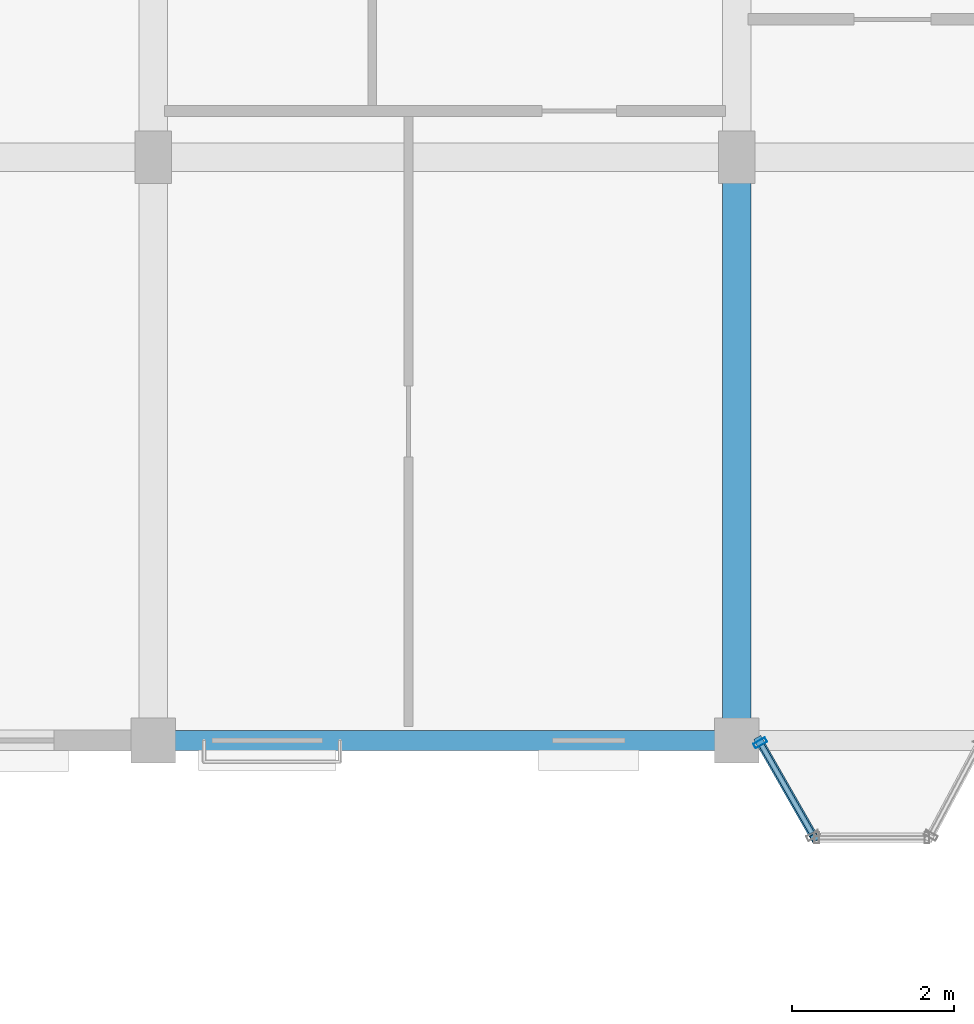
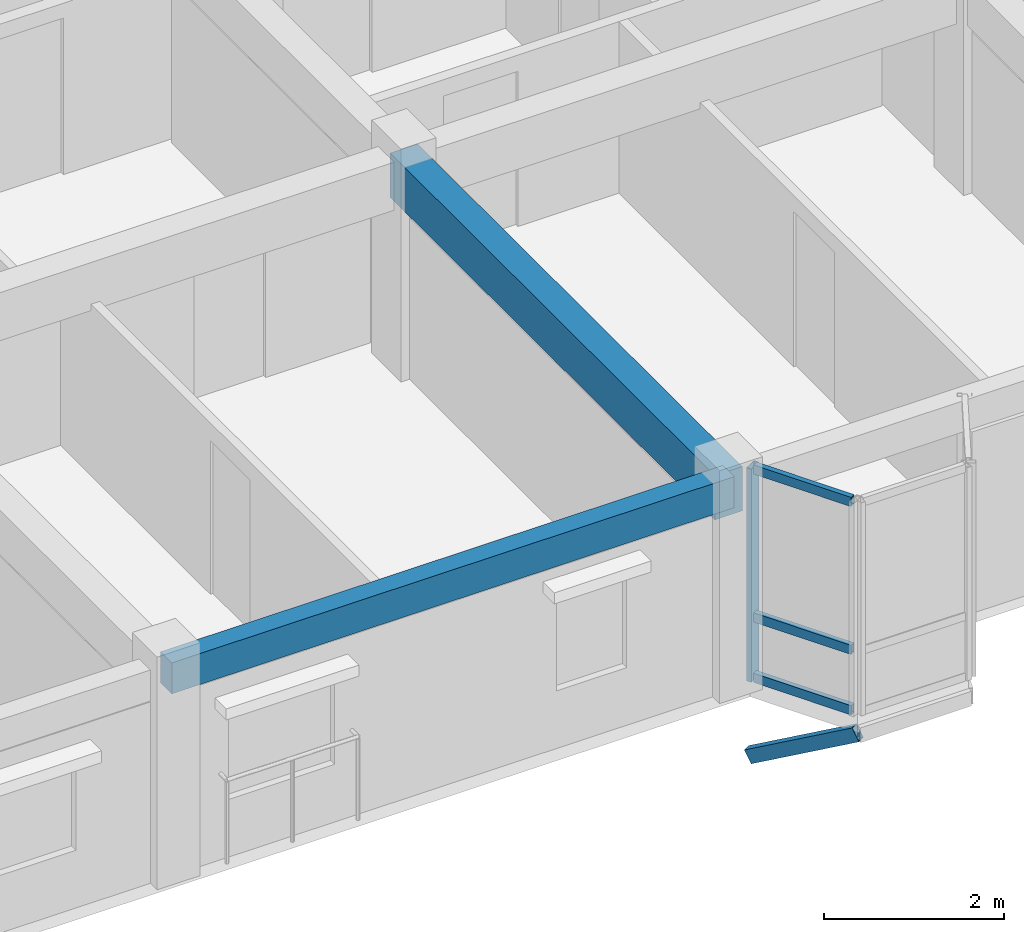
# One storey, part 35 of 79: 5 members, 2 beams, 1 element without a shape of its own.
"""IFC4 building model written with IfcOpenShell, lengths in metres."""

import ifcopenshell
import ifcopenshell.guid

model = None  # the IFC model being written
_history = None  # IfcOwnerHistory: only IFC2X3 demands one
_inside = {}  # id of a spatial element -> (the spatial element, [elements in it])
_under = {}  # id of a project, library or spatial element -> (it, [spatial elements below it])
_declared = {}  # id of a project -> (the project, [libraries it declares])
_typed = {}  # id of a type object -> (the type object, [elements of that type])
_made_of = {}  # id of a material, layer set ... -> (it, [elements and type objects made of it])


def new_model(schema):
    """Start an empty IFC model of exactly this schema.

    Asked for "IFC4X3", IfcOpenShell would pick the latest addendum, in which some entities
    have other attributes; the version numbers below select the first issue.
    IFC2X3 requires an IfcOwnerHistory on every rooted entity: one is made here for all.
    """
    global model, _history
    if schema == "IFC4X3":
        model = ifcopenshell.file(schema_version=(4, 3, 0, 0))
    else:
        model = ifcopenshell.file(schema=schema)
    _inside.clear()
    _under.clear()
    _declared.clear()
    _typed.clear()
    _made_of.clear()
    _history = None
    if model.schema == "IFC2X3":
        org = make("IfcOrganization", Name="unknown")
        user = make(
            "IfcPersonAndOrganization",
            ThePerson=make("IfcPerson", FamilyName="unknown"),
            TheOrganization=org,
        )
        app = make(
            "IfcApplication",
            ApplicationDeveloper=org,
            Version="unknown",
            ApplicationFullName="unknown",
            ApplicationIdentifier="unknown",
        )
        _history = make(
            "IfcOwnerHistory",
            OwningUser=user,
            OwningApplication=app,
            ChangeAction="ADDED",
            CreationDate=0,
        )
    return model


def make(cls, **values):
    """One entity of the class cls with the attributes given. An attribute that is None is left unset."""
    return model.create_entity(
        cls, **{name: value for name, value in values.items() if value is not None}
    )


def rooted(cls, **values):
    """An entity with a GlobalId (a new one), such as an element, a storey or a relation."""
    return make(cls, GlobalId=ifcopenshell.guid.new(), OwnerHistory=_history, **values)


def si_unit(unit_type, name, prefix=None):
    """IfcSIUnit, for example si_unit("LENGTHUNIT", "METRE", prefix="MILLI")."""
    return make("IfcSIUnit", UnitType=unit_type, Prefix=prefix, Name=name)


def assignment(units):
    """IfcUnitAssignment: the units of a project."""
    return None if units is None else make("IfcUnitAssignment", Units=units)


def point(xyz):
    """IfcCartesianPoint."""
    return None if xyz is None else make("IfcCartesianPoint", Coordinates=xyz)


def direction(xyz):
    """IfcDirection."""
    return None if xyz is None else make("IfcDirection", DirectionRatios=xyz)


def frame(location, z_axis=None, x_axis=None):
    """IfcAxis2Placement3D, a coordinate frame: its origin and axes. An axis left out is left unset."""
    return make(
        "IfcAxis2Placement3D",
        Location=point(location),
        Axis=direction(z_axis),
        RefDirection=direction(x_axis),
    )


def frame_2d(location, x_axis=None):
    """IfcAxis2Placement2D, a coordinate frame in the plane: its origin and x axis."""
    return make(
        "IfcAxis2Placement2D", Location=point(location), RefDirection=direction(x_axis)
    )


def origin():
    """The frame at (0, 0, 0) with its axes left unset."""
    return frame((0.0, 0.0, 0.0))


def origin_2d():
    """The frame at (0, 0) in the plane with its x axis left unset."""
    return frame_2d((0.0, 0.0))


def place(relative_to, where):
    """IfcLocalPlacement: puts the frame where relative to a parent placement (None: the world)."""
    return make(
        "IfcLocalPlacement", PlacementRelTo=relative_to, RelativePlacement=where
    )


def context(
    kind, dimensions, precision=None, world=None, true_north=None, identifier=None
):
    """IfcGeometricRepresentationContext, for example the 3D "Model" context."""
    return make(
        "IfcGeometricRepresentationContext",
        ContextIdentifier=identifier,
        ContextType=kind,
        CoordinateSpaceDimension=dimensions,
        Precision=precision,
        WorldCoordinateSystem=world,
        TrueNorth=true_north,
    )


def subcontext(parent, identifier, kind, view, scale=None):
    """IfcGeometricRepresentationSubContext, for example "Body" below "Model"."""
    return make(
        "IfcGeometricRepresentationSubContext",
        ContextIdentifier=identifier,
        ContextType=kind,
        ParentContext=parent,
        TargetScale=scale,
        TargetView=view,
    )


def project(units=None, contexts=None):
    """IfcProject with its units and contexts."""
    return rooted(
        "IfcProject",
        Name="project",
        RepresentationContexts=contexts,
        UnitsInContext=assignment(units),
    )


def spatial(cls, under=None, at=None, **own):
    """A site, building, storey or space (cls), placed at a placement, below another one or the project."""
    s = rooted(cls, ObjectPlacement=at, **own)
    if under is not None:
        _under.setdefault(under.id(), (under, []))[1].append(s)
    return s


def profile(cls, at=None, kind="AREA", **sizes):
    """A parametric profile (cls). Its sizes go by their IFC names, for example OverallWidth=200.0."""
    return make(cls, ProfileType=kind, Position=at, **sizes)


def rectangle(**sizes):
    """IfcRectangleProfileDef."""
    return profile("IfcRectangleProfileDef", **sizes)


def hollow_rectangle(**sizes):
    """IfcRectangleHollowProfileDef."""
    return profile("IfcRectangleHollowProfileDef", **sizes)


def extrude(swept, where, along, depth):
    """IfcExtrudedAreaSolid: the profile swept, set in the frame where, extruded along a direction by depth."""
    return make(
        "IfcExtrudedAreaSolid",
        SweptArea=swept,
        Position=where,
        ExtrudedDirection=direction(along),
        Depth=depth,
    )


def shape(context_of_items, identifier, shape_type, items):
    """IfcShapeRepresentation: the items that make up one representation, for example the "Body"."""
    return make(
        "IfcShapeRepresentation",
        ContextOfItems=context_of_items,
        RepresentationIdentifier=identifier,
        RepresentationType=shape_type,
        Items=items,
    )


def material(Name=None, Category=None):
    """IfcMaterial."""
    return make("IfcMaterial", Name=Name, Category=Category)


def layer(
    of_material, thickness, ventilated=None, Name=None, Category=None, Priority=None
):
    """IfcMaterialLayer: one layer of a wall or slab, of a material (None: an air gap)."""
    return make(
        "IfcMaterialLayer",
        Material=of_material,
        LayerThickness=thickness,
        IsVentilated=ventilated,
        Name=Name,
        Category=Category,
        Priority=Priority,
    )


def layer_set(layers, Name=None):
    """IfcMaterialLayerSet."""
    return make("IfcMaterialLayerSet", MaterialLayers=layers, LayerSetName=Name)


def material_profile(
    of_material, cross_section, Name=None, Category=None, Priority=None
):
    """IfcMaterialProfile: a cross section and its material."""
    return make(
        "IfcMaterialProfile",
        Name=Name,
        Material=of_material,
        Profile=cross_section,
        Priority=Priority,
        Category=Category,
    )


def profile_set(profiles, Name=None, composite=None):
    """IfcMaterialProfileSet."""
    return make(
        "IfcMaterialProfileSet",
        Name=Name,
        MaterialProfiles=profiles,
        CompositeProfile=composite,
    )


def made_of(thing, what):
    """Note that an element or type object is made of a material, layer set ...; save() writes the relation."""
    if what is not None:
        _made_of.setdefault(what.id(), (what, []))[1].append(thing)
    return thing


def type_object(cls, material=None, **own):
    """A type object (cls), such as IfcWallType, which elements share."""
    return made_of(rooted(cls, **own), material)


def element(
    cls,
    number,
    at=None,
    inside=None,
    cuts=None,
    type_object=None,
    material=None,
    context=None,
    identifier="Body",
    shape_type=None,
    held_by="IfcProductDefinitionShape",
    body=None,
    shapes=None,
    **own,
):
    """One element of the class cls, such as IfcWall. Its Tag is "e" and its number.

    at: its placement. inside: the storey or other place that contains it. cuts: it is an
    opening in that element (IfcRelVoidsElement). A single representation is given by context,
    identifier, shape_type and body (its items); several are given by shapes. held_by: the class
    of the entity that holds the representations. save() writes the other relations.
    """
    e = rooted(cls, Tag="e%d" % number, ObjectPlacement=at, **own)
    if body is not None:
        shapes = [shape(context, identifier, shape_type, body)]
    if shapes is not None:
        e.Representation = make(held_by, Representations=shapes)
    if inside is not None:
        _inside.setdefault(inside.id(), (inside, []))[1].append(e)
    if cuts is not None:
        rooted(
            "IfcRelVoidsElement", RelatingBuildingElement=cuts, RelatedOpeningElement=e
        )
    if type_object is not None:
        _typed.setdefault(type_object.id(), (type_object, []))[1].append(e)
    return made_of(e, material)


def aggregate(whole, parts):
    """IfcRelAggregates: a whole, such as a stair, and the parts it consists of."""
    return rooted("IfcRelAggregates", RelatingObject=whole, RelatedObjects=parts)


def save(model, path):
    """Write the relations noted so far, then the file.

    IfcRelAggregates (storeys below a building ...), IfcRelContainedInSpatialStructure (elements
    in a storey), IfcRelDefinesByType, IfcRelAssociatesMaterial and IfcRelDeclares: one each for
    every whole, place, type object, material and project.
    """
    for whole, parts in _under.values():
        aggregate(whole, parts)
    for where, things in _inside.values():
        rooted(
            "IfcRelContainedInSpatialStructure",
            RelatedElements=things,
            RelatingStructure=where,
        )
    for kind, things in _typed.values():
        rooted("IfcRelDefinesByType", RelatedObjects=things, RelatingType=kind)
    for what, things in _made_of.values():
        rooted("IfcRelAssociatesMaterial", RelatedObjects=things, RelatingMaterial=what)
    for by, libraries in _declared.values():
        rooted("IfcRelDeclares", RelatingContext=by, RelatedDefinitions=libraries)
    model.write(path)


model = new_model("IFC4")

# Units and contexts
model_context = context("Model", 3, precision=1e-05, world=origin(), true_north=direction((0.0, 1.0)))
body_context = subcontext(model_context, "Body", "Model", "MODEL_VIEW")
ifc_project = project(units=[si_unit("LENGTHUNIT", "METRE"), si_unit("AREAUNIT", "SQUARE_METRE"), si_unit("VOLUMEUNIT", "CUBIC_METRE"), si_unit("PLANEANGLEUNIT", "RADIAN"), si_unit("MASSUNIT", "GRAM", prefix="KILO"), si_unit("THERMODYNAMICTEMPERATUREUNIT", "KELVIN"), si_unit("POWERUNIT", "WATT")], contexts=[model_context])

# Site, building, storey
site_placement = place(None, origin())
site = spatial("IfcSite", under=ifc_project, at=site_placement, CompositionType="ELEMENT")
building_placement = place(site_placement, origin())
building = spatial("IfcBuilding", under=site, at=building_placement, Name="Tavuni Mirador Residences", CompositionType="ELEMENT")
storey_placement = place(building_placement, frame((0.0, 0.0, 13.949951171875)))
storey = spatial("IfcBuildingStorey", under=building, at=storey_placement, Name="L04", CompositionType="ELEMENT", Elevation=13.949951171875)

# Beams
ifc_material_1 = material(Name="Precast concrete C40/50", Category="concrete")
ifc_material_profile_1 = material_profile(ifc_material_1, rectangle(XDim=0.35009765625, YDim=0.60009765625, at=origin_2d()), Name="PC 350x600", Category="concrete")
ifc_profile_set_1 = profile_set([ifc_material_profile_1], Name="Precast concrete C40/50")
beam_type_1 = type_object("IfcBeamType", Name="BT-B600", PredefinedType="BEAM", material=ifc_profile_set_1)
beam_1_placement = place(storey_placement, frame((32.39990234375, 144.0, 2.5849609375), z_axis=(0.0, 1.0, 0.0), x_axis=(-1.0, 0.0, 0.0)))
element("IfcBeam", 1, at=beam_1_placement, inside=storey, type_object=beam_type_1, Name="BMY-BLK-C-L04-03-00", PredefinedType="BEAM", context=body_context, shape_type="SweptSolid", body=[
    extrude(rectangle(XDim=0.35009765625, YDim=0.60009765625, at=origin_2d()), origin(), (0.0, 0.0, 1.0), 7.199951171875),
])
ifc_material_profile_2 = material_profile(ifc_material_1, rectangle(XDim=0.25, YDim=0.419921875, at=origin_2d()), Name="PC 250x420", Category="concrete")
ifc_profile_set_2 = profile_set([ifc_material_profile_2], Name="Precast concrete C40/50")
beam_type_2 = type_object("IfcBeamType", Name="BT-SP420", PredefinedType="SPANDREL", material=ifc_profile_set_2)
beam_2_placement = place(storey_placement, frame((25.199951171875, 144.0, 2.675048828125), z_axis=(1.0, 0.0, 0.0), x_axis=(0.0, 1.0, 0.0)))
element("IfcBeam", 2, at=beam_2_placement, inside=storey, type_object=beam_type_2, Name="BMX-BLK-C-L04-02-00", PredefinedType="SPANDREL", context=body_context, shape_type="SweptSolid", body=[
    extrude(rectangle(XDim=0.25, YDim=0.419921875, at=origin_2d()), origin(), (0.0, 0.0, 1.0), 7.199951171875),
])

# Curtain wall, members
ifc_material_2 = material(Name="Anodised aluminium", Category="aluminium")
ifc_layer = layer(ifc_material_2, 0.14990234375, Name="Anodised aluminium", Category="aluminium")
ifc_layer_set = layer_set([ifc_layer], Name="Anodised aluminium")
curtain_wall_type = type_object("IfcCurtainWallType", Name="CWT-MIR-B", PredefinedType="NOTDEFINED", material=ifc_layer_set)
curtain_wall_placement = place(storey_placement, origin())
curtain_wall = element("IfcCurtainWall", 3, at=curtain_wall_placement, inside=storey, type_object=curtain_wall_type, Name="CW-MIR-C-S2-L04-M1", PredefinedType="NOTDEFINED")
ifc_material_profile_3 = material_profile(ifc_material_2, hollow_rectangle(XDim=0.06494140625, YDim=0.1650390625, WallThickness=0.00439453125, at=origin_2d()), Name="ALU 65x165x4.5", Category="aluminium")
ifc_profile_set_3 = profile_set([ifc_material_profile_3], Name="Anodised aluminium")
member_type_1 = type_object("IfcMemberType", Name="CWM-165", PredefinedType="MULLION", material=ifc_profile_set_3)
member_1_placement = place(storey_placement, frame((32.691162109375, 143.9716796875, 0.0), z_axis=(0.0, 0.0, 1.0), x_axis=(0.495749192217, -0.868465738194, 0.0)))
member_1 = element("IfcMember", 4, at=member_1_placement, type_object=member_type_1, Name="CW-02 mullion 1", PredefinedType="MULLION", context=body_context, shape_type="SweptSolid", body=[
    extrude(hollow_rectangle(XDim=0.06494140625, YDim=0.1650390625, WallThickness=0.00439453125, at=origin_2d()), origin(), (0.0, 0.0, 1.0), 2.885009765625),
])
ifc_material_profile_4 = material_profile(ifc_material_2, hollow_rectangle(XDim=0.06494140625, YDim=0.125, WallThickness=0.00439453125, at=origin_2d()), Name="ALU 65x125x4.5", Category="aluminium")
ifc_profile_set_4 = profile_set([ifc_material_profile_4], Name="Anodised aluminium")
member_type_2 = type_object("IfcMemberType", Name="CWT-125", PredefinedType="USERDEFINED", material=ifc_profile_set_4)
member_2_placement = place(storey_placement, frame((32.707275390625, 143.943603515625, 0.032470703125), z_axis=(0.495760837306, -0.868459090685, 0.0), x_axis=(0.868459090685, 0.495760837306, 0.0)))
member_2 = element("IfcMember", 5, at=member_2_placement, type_object=member_type_2, Name="CW-02 transom 1.1", ObjectType="TRANSOM", PredefinedType="USERDEFINED", context=body_context, shape_type="SweptSolid", body=[
    extrude(hollow_rectangle(XDim=0.06494140625, YDim=0.125, WallThickness=0.00439453125, at=origin_2d()), origin(), (0.0, 0.0, 1.0), 1.251708984375),
])
member_3_placement = place(storey_placement, frame((32.707275390625, 143.943603515625, 0.85009765625), z_axis=(0.495760837306, -0.868459090685, 0.0), x_axis=(0.868459090685, 0.495760837306, 0.0)))
member_3 = element("IfcMember", 6, at=member_3_placement, type_object=member_type_2, Name="CW-02 transom 1.2", ObjectType="TRANSOM", PredefinedType="USERDEFINED", context=body_context, shape_type="SweptSolid", body=[
    extrude(hollow_rectangle(XDim=0.06494140625, YDim=0.125, WallThickness=0.00439453125, at=origin_2d()), origin(), (0.0, 0.0, 1.0), 1.251708984375),
])
member_4_placement = place(storey_placement, frame((32.707275390625, 143.943603515625, 2.8525390625), z_axis=(0.495760837306, -0.868459090685, 0.0), x_axis=(0.868459090685, 0.495760837306, 0.0)))
member_4 = element("IfcMember", 7, at=member_4_placement, type_object=member_type_2, Name="CW-02 transom 1.3", ObjectType="TRANSOM", PredefinedType="USERDEFINED", context=body_context, shape_type="SweptSolid", body=[
    extrude(hollow_rectangle(XDim=0.06494140625, YDim=0.125, WallThickness=0.00439453125, at=origin_2d()), origin(), (0.0, 0.0, 1.0), 1.251708984375),
])
aggregate(curtain_wall, [member_1, member_2, member_3, member_4])

# Member
ifc_material_3 = material(Name="Structural steel S355", Category="steel")
ifc_material_profile_5 = material_profile(ifc_material_3, hollow_rectangle(XDim=0.10009765625, YDim=0.179931640625, WallThickness=0.008056640625, at=origin_2d()), Name="RHS 180x100x8.0", Category="steel")
ifc_profile_set_5 = profile_set([ifc_material_profile_5], Name="Structural steel S355")
member_type_3 = type_object("IfcMemberType", Name="MT-BR-RHS180", PredefinedType="BRACE", material=ifc_profile_set_5)
member_5_placement = place(storey_placement, frame((32.675048828125, 144.0, -1.050048828125), z_axis=(0.431062666154, -0.755050963701, 0.494047588863), x_axis=(0.868438794398, 0.495796390047, 0.0)))
element("IfcMember", 8, at=member_5_placement, inside=storey, type_object=member_type_3, Name="MBRK-MIR-C-S2-L04-1", PredefinedType="BRACE", context=body_context, shape_type="SweptSolid", body=[
    extrude(hollow_rectangle(XDim=0.10009765625, YDim=0.179931640625, WallThickness=0.008056640625, at=origin_2d()), origin(), (0.0, 0.0, 1.0), 1.589111328125),
])

save(model, "model.ifc")
